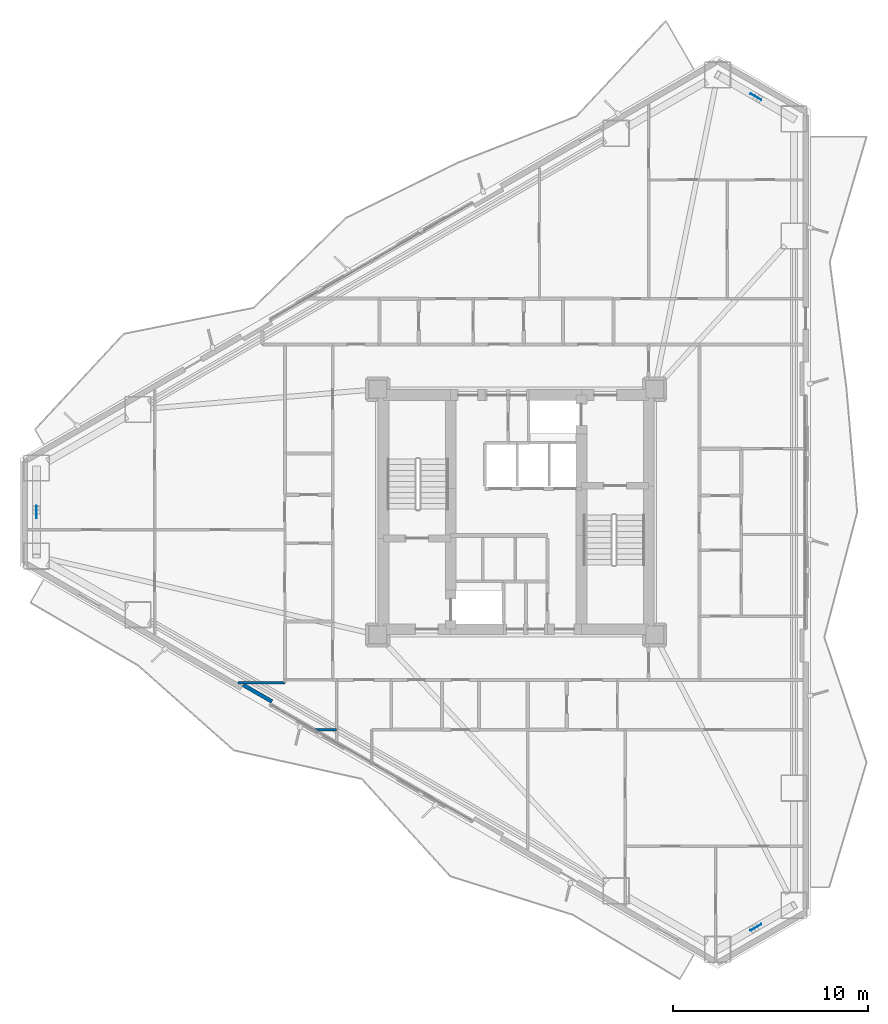
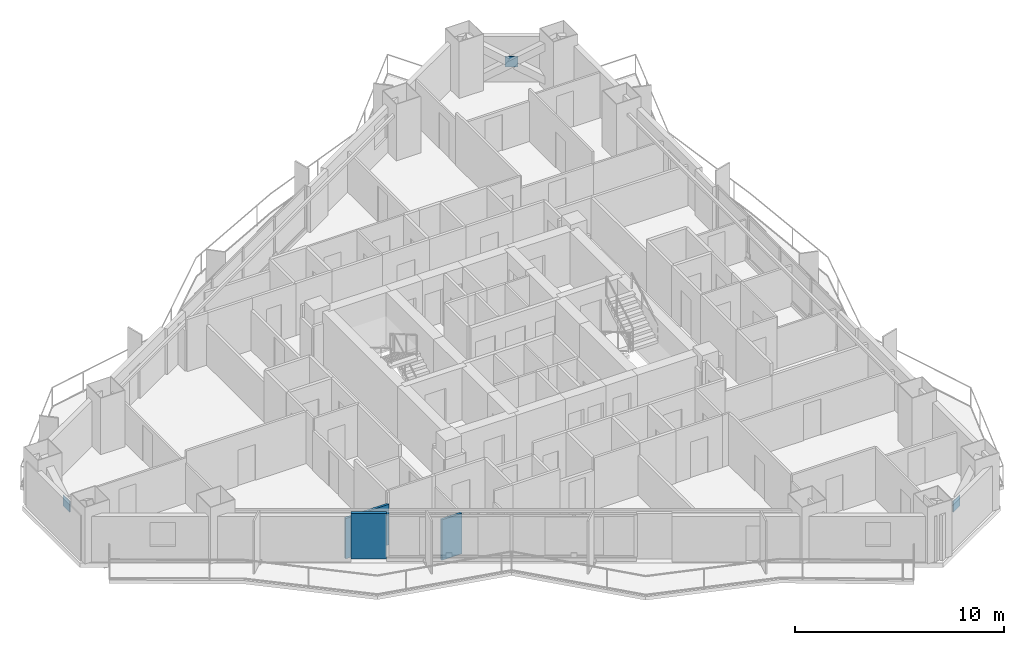
# One storey, part 11 of 19: 3 plates, 3 walls.
"""IFC4 building model written with IfcOpenShell, lengths in metres."""

from ifc_helpers import new_model, si_unit, direction, frame, frame_2d, origin, origin_2d, place, context, subcontext, project, spatial, rectangle, extrude, material, layer, layer_set, type_object, element, save


model = new_model("IFC4")

# Units and contexts
model_context = context("Model", 3, precision=1e-05, world=origin(), true_north=direction((0.0, 1.0)))
body_context = subcontext(model_context, "Body", "Model", "MODEL_VIEW")
ifc_project = project(units=[si_unit("LENGTHUNIT", "METRE"), si_unit("AREAUNIT", "SQUARE_METRE"), si_unit("VOLUMEUNIT", "CUBIC_METRE"), si_unit("PLANEANGLEUNIT", "RADIAN"), si_unit("MASSUNIT", "GRAM", prefix="KILO")], contexts=[model_context])

# Site, building, storey
site_placement = place(None, origin())
site = spatial("IfcSite", under=ifc_project, at=site_placement, CompositionType="ELEMENT")
building_placement = place(site_placement, origin())
building = spatial("IfcBuilding", under=site, at=building_placement, Name="Mersakhor Tower and Convention Hall", CompositionType="ELEMENT")
storey_placement = place(building_placement, frame((0.0, 0.0, 29.10009765625)))
storey = spatial("IfcBuildingStorey", under=building, at=storey_placement, Name="L07", CompositionType="ELEMENT", Elevation=29.10009765625)

# Plates
ifc_material_1 = material(Name="Steel S460", Category="steel")
ifc_layer_1 = layer(ifc_material_1, 0.0400390625)
ifc_layer_set_1 = layer_set([ifc_layer_1], Name="Steel S460")
plate_type = type_object("IfcPlateType", Name="PL-GUSSET-40", PredefinedType="SHEET", material=ifc_layer_set_1)
for number, where, z_axis, x_axis, name in (
    (1, (41.29345703125, 48.04296875, 1.2001953125), (0.0, 0.0, 1.0), (-0.866025403784, 0.5, 0.0), "L07 X-Brace Crossing Gusset Node Plate"),
    (2, (41.29345703125, 5.45703125, 1.2001953125), (0.0, 0.0, 1.0), (0.866025403784, 0.5, 0.0), "L07 X-Brace Crossing Gusset Node Plate"),
    (3, (4.4130859375, 26.75, 1.2001953125), (0.0, 0.0, 1.0), (0.0, -1.0, 0.0), "L07 X-Brace Crossing Gusset Node Plate"),
):
    element("IfcPlate", number, at=place(storey_placement, frame(where, z_axis=z_axis, x_axis=x_axis)), inside=storey, type_object=plate_type, Name=name, PredefinedType="SHEET", context=body_context, shape_type="SweptSolid", body=[
        extrude(rectangle(XDim=0.639892578125, YDim=0.0400390625, at=origin_2d()), origin(), (0.0, 0.0, 1.0), 0.639892578125),
    ])

# Walls
ifc_material_2 = material(Name="Precast concrete C40/50", Category="concrete")
ifc_layer_2 = layer(ifc_material_2, 0.199951171875)
ifc_layer_set_2 = layer_set([ifc_layer_2], Name="Precast concrete C40/50")
wall_type_1 = type_object("IfcWallType", Name="WL-PAR-200", PredefinedType="PARAPET", material=ifc_layer_set_2)
wall_1_placement = place(storey_placement, frame((16.48046875, 17.038818359375, 0.0), z_axis=(0.0, 0.0, 1.0), x_axis=(-0.86605165483, 0.499954529098, 0.0)))
element("IfcWall", 4, at=wall_1_placement, inside=storey, type_object=wall_type_1, Name="L07 Column Pier Cladding Wall F3-C2", PredefinedType="PARAPET", context=body_context, shape_type="SweptSolid", body=[
    extrude(rectangle(XDim=1.699951171875, YDim=0.199951171875, at=frame_2d((0.85009765625, 0.0))), origin(), (0.0, 0.0, 1.0), 2.659912109375),
])
ifc_material_3 = material(Name="Gypsum board acoustic partition", Category="other")
ifc_layer_3 = layer(ifc_material_3, 0.125)
ifc_layer_set_3 = layer_set([ifc_layer_3], Name="Gypsum board acoustic partition")
wall_type_2 = type_object("IfcWallType", Name="WL-PRT-125", PredefinedType="PARTITIONING", material=ifc_layer_set_3)
wall_2_placement = place(storey_placement, frame((18.677734375, 15.60009765625, 0.0), z_axis=(0.0, 0.0, 1.0), x_axis=(1.0, 0.0, 0.0)))
element("IfcWall", 5, at=wall_2_placement, inside=storey, type_object=wall_type_2, Name="L07 Interior Partition Wall P-129", PredefinedType="PARTITIONING", context=body_context, shape_type="SweptSolid", body=[
    extrude(rectangle(XDim=1.122314453125, YDim=0.125, at=frame_2d((0.56103515625, 0.0))), origin(), (0.0, 0.0, 1.0), 2.364990234375),
])
wall_3_placement = place(storey_placement, frame((17.14990234375, 18.0, 0.0), z_axis=(0.0, 0.0, 1.0), x_axis=(-1.0, 0.0, 0.0)))
element("IfcWall", 6, at=wall_3_placement, inside=storey, type_object=wall_type_2, Name="L07 Interior Partition Wall P-145", PredefinedType="PARTITIONING", context=body_context, shape_type="SweptSolid", body=[
    extrude(rectangle(XDim=2.40087890625, YDim=0.125, at=frame_2d((1.200439453125, 0.0))), origin(), (0.0, 0.0, 1.0), 2.364990234375),
])

save(model, "model.ifc")
